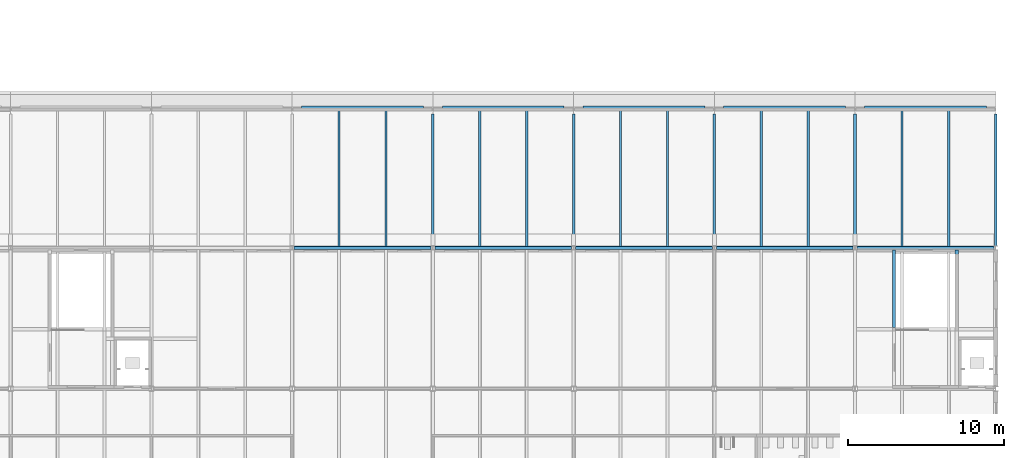
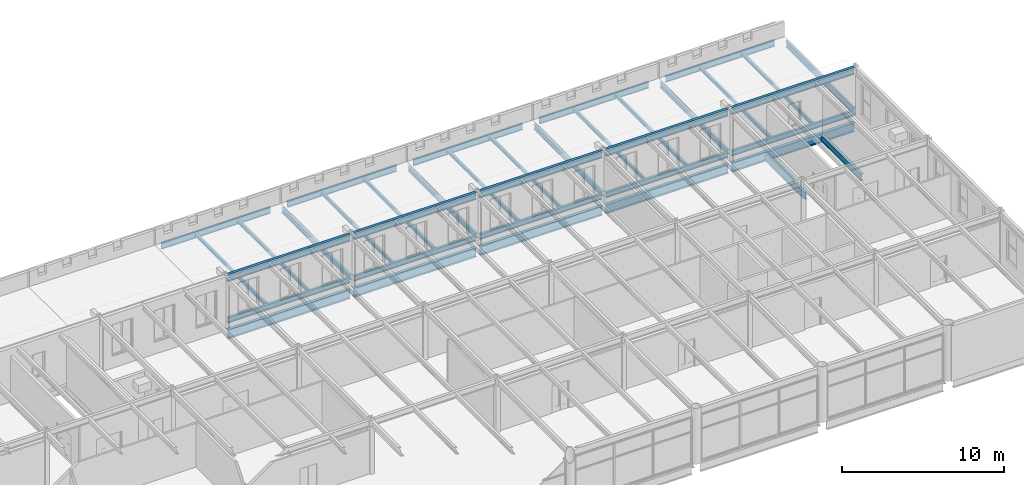
# One storey, part 50 of 123: 37 beams.
"""IFC4 building model written with IfcOpenShell, lengths in metres."""

from ifc_helpers import new_model, si_unit, direction, frame, origin, origin_2d, place, context, subcontext, project, spatial, i_section, extrude, material, material_profile, profile_set, type_object, element, save


model = new_model("IFC4")

# Units and contexts
model_context = context("Model", 3, precision=1e-05, world=origin(), true_north=direction((0.0, 1.0)))
body_context = subcontext(model_context, "Body", "Model", "MODEL_VIEW")
ifc_project = project(units=[si_unit("LENGTHUNIT", "METRE"), si_unit("AREAUNIT", "SQUARE_METRE"), si_unit("VOLUMEUNIT", "CUBIC_METRE"), si_unit("PLANEANGLEUNIT", "RADIAN"), si_unit("MASSUNIT", "GRAM", prefix="KILO")], contexts=[model_context])

# Site, building, storey
site_placement = place(None, origin())
site = spatial("IfcSite", under=ifc_project, at=site_placement, CompositionType="ELEMENT")
building_placement = place(site_placement, origin())
building = spatial("IfcBuilding", under=site, at=building_placement, Name="Baradari Gate Terminus", CompositionType="ELEMENT")
storey_placement = place(building_placement, frame((0.0, 0.0, 7.5)))
storey = spatial("IfcBuildingStorey", under=building, at=storey_placement, Name="L01", CompositionType="ELEMENT", Elevation=7.5)

# Beams
ifc_material_1 = material(Name="Steel S355", Category="steel")
ifc_material_profile_1 = material_profile(ifc_material_1, i_section(OverallWidth=0.17138671875, OverallDepth=0.35498046875, WebThickness=0.00732421875, FlangeThickness=0.011474609375, FilletRadius=0.01025390625, at=origin_2d()), Name="UB 356x171x51")
ifc_profile_set_1 = profile_set([ifc_material_profile_1], Name="Steel S355")
beam_type_1 = type_object("IfcBeamType", Name="Canopy cross beam B61 UB 356x171x51", PredefinedType="BEAM", material=ifc_profile_set_1)
for number, where, z_axis, x_axis, name in (
    (1, (207.0, 108.130126953125, 0.6025390625), (0.0, 1.0, 0.0), (-1.0, 0.0, 0.0), "Canopy cross beam B61 24:108.13-116.55 L01"),
    (2, (216.0, 108.130126953125, 0.6025390625), (0.0, 1.0, 0.0), (-1.0, 0.0, 0.0), "Canopy cross beam B61 25:108.13-116.55 L01"),
    (3, (225.0, 108.130126953125, 0.6025390625), (0.0, 1.0, 0.0), (-1.0, 0.0, 0.0), "Canopy cross beam B61 26:108.13-116.55 L01"),
    (4, (234.0, 108.130126953125, 0.6025390625), (0.0, 1.0, 0.0), (-1.0, 0.0, 0.0), "Canopy cross beam B61 27:108.13-116.55 L01"),
):
    element("IfcBeam", number, at=place(storey_placement, frame(where, z_axis=z_axis, x_axis=x_axis)), inside=storey, type_object=beam_type_1, Name=name, PredefinedType="BEAM", context=body_context, shape_type="SweptSolid", body=[
        extrude(i_section(OverallWidth=0.17138671875, OverallDepth=0.35498046875, WebThickness=0.00732421875, FlangeThickness=0.011474609375, FilletRadius=0.01025390625, at=origin_2d()), origin(), (0.0, 0.0, 1.0), 8.419921875),
    ])
ifc_material_2 = material(Name="Steel S355", Category="steel")
ifc_material_profile_2 = material_profile(ifc_material_2, i_section(OverallWidth=0.1552734375, OverallDepth=0.4658203125, WebThickness=0.010498046875, FlangeThickness=0.018798828125, FilletRadius=0.01025390625, at=origin_2d()), Name="UB 457x152x82")
ifc_profile_set_2 = profile_set([ifc_material_profile_2], Name="Steel S355")
beam_type_2 = type_object("IfcBeamType", Name="Canopy edge beam B59 UB 457x152x82", PredefinedType="BEAM", material=ifc_profile_set_2)
for number, where, z_axis, x_axis, name in (
    (5, (198.60009765625, 117.0, 0.547119140625), (1.0, 0.0, 0.0), (0.0, 1.0, 0.0), "Canopy edge beam B59 P:198.6-206.4 L01"),
    (6, (207.60009765625, 117.0, 0.547119140625), (1.0, 0.0, 0.0), (0.0, 1.0, 0.0), "Canopy edge beam B59 P:207.6-215.4 L01"),
    (7, (216.60009765625, 117.0, 0.547119140625), (1.0, 0.0, 0.0), (0.0, 1.0, 0.0), "Canopy edge beam B59 P:216.6-224.4 L01"),
    (8, (225.60009765625, 117.0, 0.547119140625), (1.0, 0.0, 0.0), (0.0, 1.0, 0.0), "Canopy edge beam B59 P:225.6-233.4 L01"),
    (9, (234.60009765625, 117.0, 0.547119140625), (1.0, 0.0, 0.0), (0.0, 1.0, 0.0), "Canopy edge beam B59 P:234.6-242.4 L01"),
):
    element("IfcBeam", number, at=place(storey_placement, frame(where, z_axis=z_axis, x_axis=x_axis)), inside=storey, type_object=beam_type_2, Name=name, PredefinedType="BEAM", context=body_context, shape_type="SweptSolid", body=[
        extrude(i_section(OverallWidth=0.1552734375, OverallDepth=0.4658203125, WebThickness=0.010498046875, FlangeThickness=0.018798828125, FilletRadius=0.01025390625, at=origin_2d()), origin(), (0.0, 0.0, 1.0), 7.7998046875),
    ])
beam_placement = place(storey_placement, frame((243.0, 108.130126953125, 0.547119140625), z_axis=(0.0, 1.0, 0.0), x_axis=(-1.0, 0.0, 0.0)))
element("IfcBeam", 10, at=beam_placement, inside=storey, type_object=beam_type_2, Name="Canopy edge beam B59 28:108.13-116.55 L01", PredefinedType="BEAM", context=body_context, shape_type="SweptSolid", body=[
    extrude(i_section(OverallWidth=0.1552734375, OverallDepth=0.4658203125, WebThickness=0.010498046875, FlangeThickness=0.018798828125, FilletRadius=0.01025390625, at=origin_2d()), origin(), (0.0, 0.0, 1.0), 8.419921875),
])
ifc_material_3 = material(Name="Steel S355", Category="steel")
ifc_material_profile_3 = material_profile(ifc_material_3, i_section(OverallWidth=0.177978515625, OverallDepth=0.406494140625, WebThickness=0.0078125, FlangeThickness=0.0126953125, FilletRadius=0.01025390625, at=origin_2d()), Name="UB 406x178x60")
ifc_profile_set_3 = profile_set([ifc_material_profile_3], Name="Steel S355")
beam_type_3 = type_object("IfcBeamType", Name="Canopy girder B58 UB 406x178x60", PredefinedType="BEAM", material=ifc_profile_set_3)
for number, where, z_axis, x_axis, name in (
    (11, (198.128173828125, 108.0, 0.576904296875), (1.0, 0.0, 0.0), (0.0, 1.0, 0.0), "Canopy girder B58 N:198.128-206.872 L01"),
    (12, (207.128173828125, 108.0, 0.576904296875), (1.0, 0.0, 0.0), (0.0, 1.0, 0.0), "Canopy girder B58 N:207.128-215.872 L01"),
    (13, (216.128173828125, 108.0, 0.576904296875), (1.0, 0.0, 0.0), (0.0, 1.0, 0.0), "Canopy girder B58 N:216.128-224.872 L01"),
    (14, (225.128173828125, 108.0, 0.576904296875), (1.0, 0.0, 0.0), (0.0, 1.0, 0.0), "Canopy girder B58 N:225.128-233.872 L01"),
    (15, (234.128173828125, 108.0, 0.576904296875), (1.0, 0.0, 0.0), (0.0, 1.0, 0.0), "Canopy girder B58 N:234.128-242.872 L01"),
):
    element("IfcBeam", number, at=place(storey_placement, frame(where, z_axis=z_axis, x_axis=x_axis)), inside=storey, type_object=beam_type_3, Name=name, PredefinedType="BEAM", context=body_context, shape_type="SweptSolid", body=[
        extrude(i_section(OverallWidth=0.177978515625, OverallDepth=0.406494140625, WebThickness=0.0078125, FlangeThickness=0.0126953125, FilletRadius=0.01025390625, at=origin_2d()), origin(), (0.0, 0.0, 1.0), 8.74365234375),
    ])
ifc_material_4 = material(Name="Steel S355", Category="steel")
ifc_material_profile_4 = material_profile(ifc_material_4, i_section(OverallWidth=0.14599609375, OverallDepth=0.25146484375, WebThickness=0.006103515625, FlangeThickness=0.008544921875, FilletRadius=0.007568359375, at=origin_2d()), Name="UB 254x146x31")
ifc_profile_set_4 = profile_set([ifc_material_profile_4], Name="Steel S355")
beam_type_4 = type_object("IfcBeamType", Name="Canopy secondary beam B60 UB 254x146x31", PredefinedType="BEAM", material=ifc_profile_set_4)
for number, where, z_axis, x_axis, name in (
    (16, (201.0, 108.0888671875, 0.654296875), (0.0, 1.0, 0.0), (-1.0, 0.0, 0.0), "Canopy secondary beam B60 201:108.089-116.922 L01"),
    (17, (204.0, 108.0888671875, 0.654296875), (0.0, 1.0, 0.0), (-1.0, 0.0, 0.0), "Canopy secondary beam B60 204:108.089-116.922 L01"),
    (18, (210.0, 108.0888671875, 0.654296875), (0.0, 1.0, 0.0), (-1.0, 0.0, 0.0), "Canopy secondary beam B60 210:108.089-116.922 L01"),
    (19, (213.0, 108.0888671875, 0.654296875), (0.0, 1.0, 0.0), (-1.0, 0.0, 0.0), "Canopy secondary beam B60 213:108.089-116.922 L01"),
    (20, (219.0, 108.0888671875, 0.654296875), (0.0, 1.0, 0.0), (-1.0, 0.0, 0.0), "Canopy secondary beam B60 219:108.089-116.922 L01"),
    (21, (222.0, 108.0888671875, 0.654296875), (0.0, 1.0, 0.0), (-1.0, 0.0, 0.0), "Canopy secondary beam B60 222:108.089-116.922 L01"),
    (22, (228.0, 108.0888671875, 0.654296875), (0.0, 1.0, 0.0), (-1.0, 0.0, 0.0), "Canopy secondary beam B60 228:108.089-116.922 L01"),
    (23, (231.0, 108.0888671875, 0.654296875), (0.0, 1.0, 0.0), (-1.0, 0.0, 0.0), "Canopy secondary beam B60 231:108.089-116.922 L01"),
    (24, (237.0, 108.0888671875, 0.654296875), (0.0, 1.0, 0.0), (-1.0, 0.0, 0.0), "Canopy secondary beam B60 237:108.089-116.922 L01"),
    (25, (240.0, 108.0888671875, 0.654296875), (0.0, 1.0, 0.0), (-1.0, 0.0, 0.0), "Canopy secondary beam B60 240:108.089-116.922 L01"),
):
    element("IfcBeam", number, at=place(storey_placement, frame(where, z_axis=z_axis, x_axis=x_axis)), inside=storey, type_object=beam_type_4, Name=name, PredefinedType="BEAM", context=body_context, shape_type="SweptSolid", body=[
        extrude(i_section(OverallWidth=0.14599609375, OverallDepth=0.25146484375, WebThickness=0.006103515625, FlangeThickness=0.008544921875, FilletRadius=0.007568359375, at=origin_2d()), origin(), (0.0, 0.0, 1.0), 8.83349609375),
    ])
ifc_material_5 = material(Name="Steel S355", Category="steel")
ifc_material_profile_5 = material_profile(ifc_material_5, i_section(OverallWidth=0.2529296875, OverallDepth=0.677978515625, WebThickness=0.01171875, FlangeThickness=0.01611328125, FilletRadius=0.01513671875, at=origin_2d()), Name="UB 686x254x125")
ifc_profile_set_5 = profile_set([ifc_material_profile_5], Name="Steel S355")
beam_type_5 = type_object("IfcBeamType", Name="Head-house edge girder B07 UB 686x254x125", PredefinedType="BEAM", material=ifc_profile_set_5)
for number, where, z_axis, x_axis, name in (
    (26, (198.128173828125, 108.0, -0.468994140625), (1.0, 0.0, 0.0), (0.0, 1.0, 0.0), "Head-house edge girder B07 N:198.128-206.872 L01"),
    (27, (207.128173828125, 108.0, -0.468994140625), (1.0, 0.0, 0.0), (0.0, 1.0, 0.0), "Head-house edge girder B07 N:207.128-215.872 L01"),
    (28, (216.128173828125, 108.0, -0.468994140625), (1.0, 0.0, 0.0), (0.0, 1.0, 0.0), "Head-house edge girder B07 N:216.128-224.872 L01"),
    (29, (225.128173828125, 108.0, -0.468994140625), (1.0, 0.0, 0.0), (0.0, 1.0, 0.0), "Head-house edge girder B07 N:225.128-233.872 L01"),
    (30, (234.128173828125, 108.0, -0.468994140625), (1.0, 0.0, 0.0), (0.0, 1.0, 0.0), "Head-house edge girder B07 N:234.128-242.872 L01"),
):
    element("IfcBeam", number, at=place(storey_placement, frame(where, z_axis=z_axis, x_axis=x_axis)), inside=storey, type_object=beam_type_5, Name=name, PredefinedType="BEAM", context=body_context, shape_type="SweptSolid", body=[
        extrude(i_section(OverallWidth=0.2529296875, OverallDepth=0.677978515625, WebThickness=0.01171875, FlangeThickness=0.01611328125, FilletRadius=0.01513671875, at=origin_2d()), origin(), (0.0, 0.0, 1.0), 8.74365234375),
    ])
ifc_material_6 = material(Name="Steel S355", Category="steel")
ifc_material_profile_6 = material_profile(ifc_material_6, i_section(OverallWidth=0.209228515625, OverallDepth=0.533203125, WebThickness=0.010009765625, FlangeThickness=0.015625, FilletRadius=0.0126953125, at=origin_2d()), Name="UB 533x210x92")
ifc_profile_set_6 = profile_set([ifc_material_profile_6], Name="Steel S355")
beam_type_6 = type_object("IfcBeamType", Name="Head-house roof edge girder B48 UB 533x210x92", PredefinedType="BEAM", material=ifc_profile_set_6)
for number, where, z_axis, x_axis, name in (
    (31, (198.128173828125, 108.0, 3.783447265625), (1.0, 0.0, 0.0), (0.0, 1.0, 0.0), "Head-house roof edge girder B48 N:198.128-206.872 L01"),
    (32, (207.128173828125, 108.0, 3.783447265625), (1.0, 0.0, 0.0), (0.0, 1.0, 0.0), "Head-house roof edge girder B48 N:207.128-215.872 L01"),
    (33, (216.128173828125, 108.0, 3.783447265625), (1.0, 0.0, 0.0), (0.0, 1.0, 0.0), "Head-house roof edge girder B48 N:216.128-224.872 L01"),
    (34, (225.128173828125, 108.0, 3.783447265625), (1.0, 0.0, 0.0), (0.0, 1.0, 0.0), "Head-house roof edge girder B48 N:225.128-233.872 L01"),
    (35, (234.128173828125, 108.0, 3.783447265625), (1.0, 0.0, 0.0), (0.0, 1.0, 0.0), "Head-house roof edge girder B48 N:234.128-242.872 L01"),
):
    element("IfcBeam", number, at=place(storey_placement, frame(where, z_axis=z_axis, x_axis=x_axis)), inside=storey, type_object=beam_type_6, Name=name, PredefinedType="BEAM", context=body_context, shape_type="SweptSolid", body=[
        extrude(i_section(OverallWidth=0.209228515625, OverallDepth=0.533203125, WebThickness=0.010009765625, FlangeThickness=0.015625, FilletRadius=0.0126953125, at=origin_2d()), origin(), (0.0, 0.0, 1.0), 8.74365234375),
    ])
ifc_material_7 = material(Name="Steel S355", Category="steel")
ifc_material_profile_7 = material_profile(ifc_material_7, i_section(OverallWidth=0.209228515625, OverallDepth=0.533203125, WebThickness=0.010009765625, FlangeThickness=0.015625, FilletRadius=0.0126953125, at=origin_2d()), Name="UB 533x210x92")
ifc_profile_set_7 = profile_set([ifc_material_profile_7], Name="Steel S355")
beam_type_7 = type_object("IfcBeamType", Name="Head-house trimmer beam B08 UB 533x210x92", PredefinedType="BEAM", material=ifc_profile_set_7)
for number, where, z_axis, x_axis, name in (
    (36, (236.4951171875, 102.90478515625, -0.396484375), (0.0, 1.0, 0.0), (-1.0, 0.0, 0.0), "Head-house trimmer beam B08 236.495:102.905-107.874 L01"),
    (37, (240.5048828125, 102.90478515625, -0.396484375), (0.0, 1.0, 0.0), (-1.0, 0.0, 0.0), "Head-house trimmer beam B08 240.505:102.905-107.874 L01"),
):
    element("IfcBeam", number, at=place(storey_placement, frame(where, z_axis=z_axis, x_axis=x_axis)), inside=storey, type_object=beam_type_7, Name=name, PredefinedType="BEAM", context=body_context, shape_type="SweptSolid", body=[
        extrude(i_section(OverallWidth=0.209228515625, OverallDepth=0.533203125, WebThickness=0.010009765625, FlangeThickness=0.015625, FilletRadius=0.0126953125, at=origin_2d()), origin(), (0.0, 0.0, 1.0), 4.96875),
    ])

save(model, "model.ifc")
